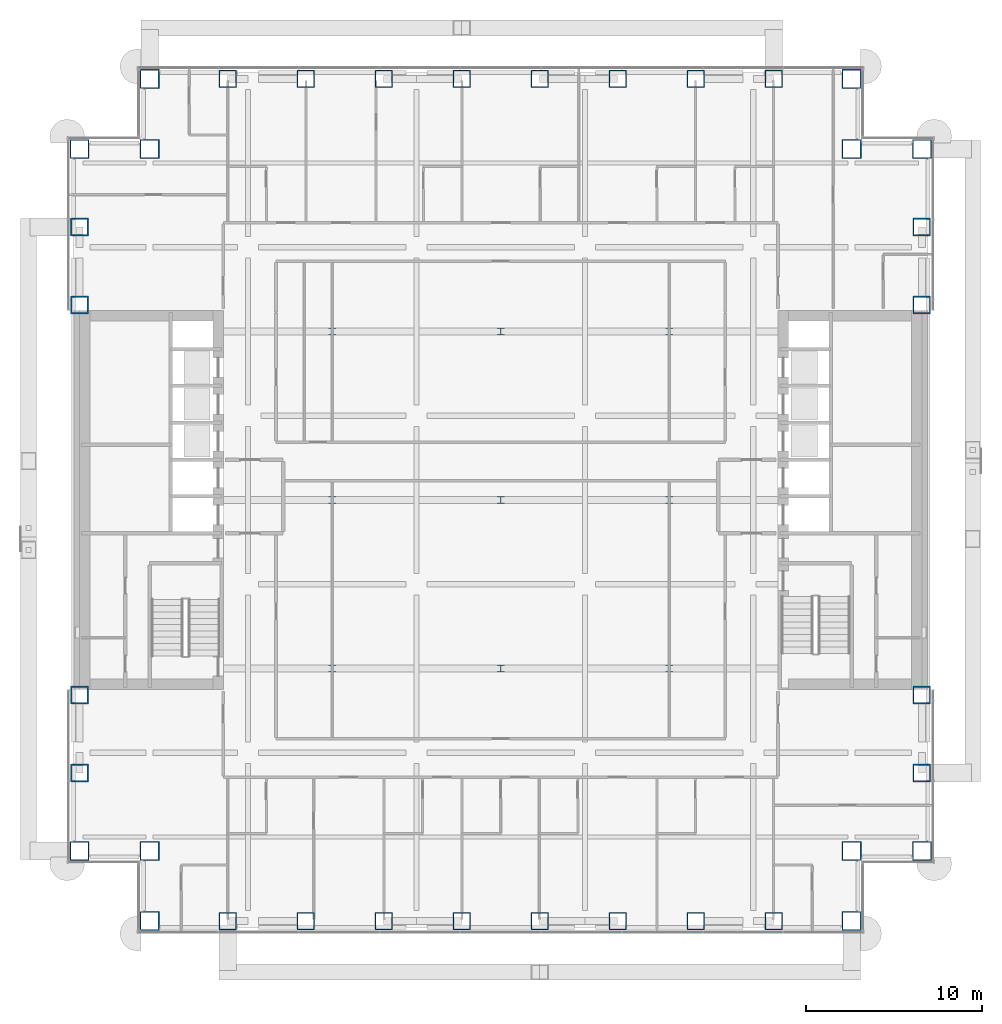
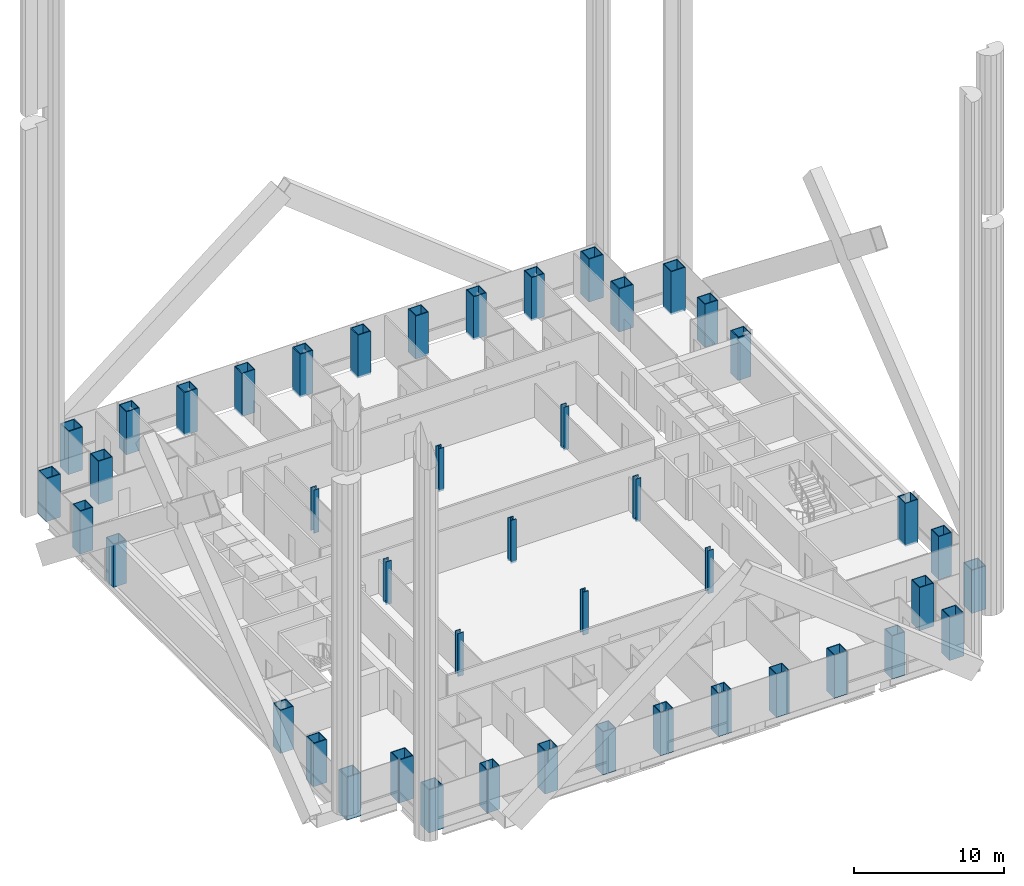
# One storey, part 1 of 28: 45 columns.
"""IFC4 building model written with IfcOpenShell, lengths in metres."""

from ifc_helpers import new_model, si_unit, direction, frame, origin, origin_2d, place, context, subcontext, project, spatial, hollow_rectangle, i_section, extrude, material, material_profile, profile_set, type_object, element, save


model = new_model("IFC4")

# Units and contexts
model_context = context("Model", 3, precision=1e-05, world=origin(), true_north=direction((0.0, 1.0)))
body_context = subcontext(model_context, "Body", "Model", "MODEL_VIEW")
ifc_project = project(units=[si_unit("LENGTHUNIT", "METRE"), si_unit("AREAUNIT", "SQUARE_METRE"), si_unit("VOLUMEUNIT", "CUBIC_METRE"), si_unit("PLANEANGLEUNIT", "RADIAN"), si_unit("MASSUNIT", "GRAM", prefix="KILO")], contexts=[model_context])

# Site, building, storey
site_placement = place(None, origin())
site = spatial("IfcSite", under=ifc_project, at=site_placement, CompositionType="ELEMENT")
building_placement = place(site_placement, origin())
building = spatial("IfcBuilding", under=site, at=building_placement, Name="Cobrizo Arcos Hotel Tower", CompositionType="ELEMENT")
storey_placement = place(building_placement, frame((0.0, 0.0, 39.0)))
storey = spatial("IfcBuildingStorey", under=building, at=storey_placement, Name="L07", CompositionType="ELEMENT", Elevation=39.0)

# Columns
ifc_material_1 = material(Name="Steel ASTM A572 Grade 50", Category="steel")
ifc_material_profile_1 = material_profile(ifc_material_1, hollow_rectangle(XDim=1.0, YDim=1.0, WallThickness=0.06005859375, at=origin_2d()), Name="BOX 1000X1000X60")
ifc_profile_set_1 = profile_set([ifc_material_profile_1], Name="Steel ASTM A572 Grade 50")
column_type_1 = type_object("IfcColumnType", Name="BOX 1000X1000X60 column", PredefinedType="COLUMN", material=ifc_profile_set_1)
for number, where, z_axis, x_axis, name in (
    (1, (-15.555908203125, 24.0, -0.14990234375), (0.0, 0.0, 1.0), (1.0, 0.0, 0.0), "Perimeter column C4, L07, no. 02"),
    (2, (-15.555908203125, -24.0, -0.14990234375), (0.0, 0.0, 1.0), (1.0, 0.0, 0.0), "Perimeter column C4, L07, no. 03"),
    (3, (-11.111083984375, 24.0, -0.14990234375), (0.0, 0.0, 1.0), (1.0, 0.0, 0.0), "Perimeter column C4, L07, no. 04"),
    (4, (-11.111083984375, -24.0, -0.14990234375), (0.0, 0.0, 1.0), (1.0, 0.0, 0.0), "Perimeter column C4, L07, no. 05"),
    (5, (-6.6669921875, 24.0, -0.14990234375), (0.0, 0.0, 1.0), (1.0, 0.0, 0.0), "Perimeter column C4, L07, no. 06"),
    (6, (-6.6669921875, -24.0, -0.14990234375), (0.0, 0.0, 1.0), (1.0, 0.0, 0.0), "Perimeter column C4, L07, no. 07"),
    (7, (-2.221923828125, 24.0, -0.14990234375), (0.0, 0.0, 1.0), (1.0, 0.0, 0.0), "Perimeter column C4, L07, no. 08"),
    (8, (-2.221923828125, -24.0, -0.14990234375), (0.0, 0.0, 1.0), (1.0, 0.0, 0.0), "Perimeter column C4, L07, no. 09"),
    (9, (2.221923828125, 24.0, -0.14990234375), (0.0, 0.0, 1.0), (1.0, 0.0, 0.0), "Perimeter column C4, L07, no. 10"),
    (10, (2.221923828125, -24.0, -0.14990234375), (0.0, 0.0, 1.0), (1.0, 0.0, 0.0), "Perimeter column C4, L07, no. 11"),
    (11, (6.6669921875, 24.0, -0.14990234375), (0.0, 0.0, 1.0), (1.0, 0.0, 0.0), "Perimeter column C4, L07, no. 12"),
    (12, (6.6669921875, -24.0, -0.14990234375), (0.0, 0.0, 1.0), (1.0, 0.0, 0.0), "Perimeter column C4, L07, no. 13"),
    (13, (11.111083984375, 24.0, -0.14990234375), (0.0, 0.0, 1.0), (1.0, 0.0, 0.0), "Perimeter column C4, L07, no. 14"),
    (14, (11.111083984375, -24.0, -0.14990234375), (0.0, 0.0, 1.0), (1.0, 0.0, 0.0), "Perimeter column C4, L07, no. 15"),
    (15, (15.555908203125, 24.0, -0.14990234375), (0.0, 0.0, 1.0), (1.0, 0.0, 0.0), "Perimeter column C4, L07, no. 16"),
    (16, (15.555908203125, -24.0, -0.14990234375), (0.0, 0.0, 1.0), (1.0, 0.0, 0.0), "Perimeter column C4, L07, no. 17"),
    (17, (24.0, -15.555908203125, -0.14990234375), (0.0, 0.0, 1.0), (1.0, 0.0, 0.0), "Perimeter column C4, L07, no. 22"),
    (18, (-24.0, -15.555908203125, -0.14990234375), (0.0, 0.0, 1.0), (1.0, 0.0, 0.0), "Perimeter column C4, L07, no. 23"),
    (19, (24.0, -11.111083984375, -0.14990234375), (0.0, 0.0, 1.0), (1.0, 0.0, 0.0), "Perimeter column C4, L07, no. 24"),
    (20, (-24.0, -11.111083984375, -0.14990234375), (0.0, 0.0, 1.0), (1.0, 0.0, 0.0), "Perimeter column C4, L07, no. 25"),
    (21, (24.0, 11.111083984375, -0.14990234375), (0.0, 0.0, 1.0), (1.0, 0.0, 0.0), "Perimeter column C4, L07, no. 26"),
    (22, (-24.0, 11.111083984375, -0.14990234375), (0.0, 0.0, 1.0), (1.0, 0.0, 0.0), "Perimeter column C4, L07, no. 27"),
    (23, (24.0, 15.555908203125, -0.14990234375), (0.0, 0.0, 1.0), (1.0, 0.0, 0.0), "Perimeter column C4, L07, no. 28"),
    (24, (-24.0, 15.555908203125, -0.14990234375), (0.0, 0.0, 1.0), (1.0, 0.0, 0.0), "Perimeter column C4, L07, no. 29"),
):
    element("IfcColumn", number, at=place(storey_placement, frame(where, z_axis=z_axis, x_axis=x_axis)), inside=storey, type_object=column_type_1, Name=name, PredefinedType="COLUMN", context=body_context, shape_type="SweptSolid", body=[
        extrude(hollow_rectangle(XDim=1.0, YDim=1.0, WallThickness=0.06005859375, at=origin_2d()), origin(), (0.0, 0.0, 1.0), 3.5),
    ])
ifc_material_profile_2 = material_profile(ifc_material_1, hollow_rectangle(XDim=1.10009765625, YDim=1.10009765625, WallThickness=0.06494140625, at=origin_2d()), Name="BOX 1100X1100X65")
ifc_profile_set_2 = profile_set([ifc_material_profile_2], Name="Steel ASTM A572 Grade 50")
column_type_2 = type_object("IfcColumnType", Name="BOX 1100X1100X65 column", PredefinedType="COLUMN", material=ifc_profile_set_2)
for number, where, z_axis, x_axis, name in (
    (25, (-20.0, 24.0, -0.14990234375), (0.0, 0.0, 1.0), (1.0, 0.0, 0.0), "Perimeter column C3, L07, no. 00"),
    (26, (-20.0, -24.0, -0.14990234375), (0.0, 0.0, 1.0), (1.0, 0.0, 0.0), "Perimeter column C3, L07, no. 01"),
    (27, (20.0, 24.0, -0.14990234375), (0.0, 0.0, 1.0), (1.0, 0.0, 0.0), "Perimeter column C3, L07, no. 18"),
    (28, (20.0, -24.0, -0.14990234375), (0.0, 0.0, 1.0), (1.0, 0.0, 0.0), "Perimeter column C3, L07, no. 19"),
    (29, (24.0, -20.0, -0.14990234375), (0.0, 0.0, 1.0), (1.0, 0.0, 0.0), "Perimeter column C3, L07, no. 20"),
    (30, (-24.0, -20.0, -0.14990234375), (0.0, 0.0, 1.0), (1.0, 0.0, 0.0), "Perimeter column C3, L07, no. 21"),
    (31, (24.0, 20.0, -0.14990234375), (0.0, 0.0, 1.0), (1.0, 0.0, 0.0), "Perimeter column C3, L07, no. 30"),
    (32, (-24.0, 20.0, -0.14990234375), (0.0, 0.0, 1.0), (1.0, 0.0, 0.0), "Perimeter column C3, L07, no. 31"),
    (33, (-20.0, -20.0, -0.14990234375), (0.0, 0.0, 1.0), (1.0, 0.0, 0.0), "Perimeter column C3, L07, no. 32"),
    (34, (-20.0, 20.0, -0.14990234375), (0.0, 0.0, 1.0), (1.0, 0.0, 0.0), "Perimeter column C3, L07, no. 33"),
    (35, (20.0, -20.0, -0.14990234375), (0.0, 0.0, 1.0), (1.0, 0.0, 0.0), "Perimeter column C3, L07, no. 34"),
    (36, (20.0, 20.0, -0.14990234375), (0.0, 0.0, 1.0), (1.0, 0.0, 0.0), "Perimeter column C3, L07, no. 35"),
):
    element("IfcColumn", number, at=place(storey_placement, frame(where, z_axis=z_axis, x_axis=x_axis)), inside=storey, type_object=column_type_2, Name=name, PredefinedType="COLUMN", context=body_context, shape_type="SweptSolid", body=[
        extrude(hollow_rectangle(XDim=1.10009765625, YDim=1.10009765625, WallThickness=0.06494140625, at=origin_2d()), origin(), (0.0, 0.0, 1.0), 3.5),
    ])
ifc_material_2 = material(Name="Steel ASTM A992 Grade 50", Category="steel")
ifc_material_profile_3 = material_profile(ifc_material_2, i_section(OverallWidth=0.408935546875, OverallDepth=0.42431640625, WebThickness=0.03271484375, FlangeThickness=0.052490234375, at=origin_2d()), Name="W14X283")
ifc_profile_set_3 = profile_set([ifc_material_profile_3], Name="Steel ASTM A992 Grade 50")
column_type_3 = type_object("IfcColumnType", Name="W14X283 interior column", PredefinedType="COLUMN", material=ifc_profile_set_3)
for number, where, z_axis, x_axis, name in (
    (37, (-9.60009765625, -9.60009765625, -0.14990234375), (0.0, 0.0, 1.0), (1.0, 0.0, 0.0), "Interior column C5, L07, no. 00"),
    (38, (-9.60009765625, 0.0, -0.14990234375), (0.0, 0.0, 1.0), (1.0, 0.0, 0.0), "Interior column C5, L07, no. 01"),
    (39, (-9.60009765625, 9.60009765625, -0.14990234375), (0.0, 0.0, 1.0), (1.0, 0.0, 0.0), "Interior column C5, L07, no. 02"),
    (40, (0.0, -9.60009765625, -0.14990234375), (0.0, 0.0, 1.0), (1.0, 0.0, 0.0), "Interior column C5, L07, no. 03"),
    (41, (0.0, 0.0, -0.14990234375), (0.0, 0.0, 1.0), (1.0, 0.0, 0.0), "Interior column C5, L07, no. 04"),
    (42, (0.0, 9.60009765625, -0.14990234375), (0.0, 0.0, 1.0), (1.0, 0.0, 0.0), "Interior column C5, L07, no. 05"),
    (43, (9.60009765625, -9.60009765625, -0.14990234375), (0.0, 0.0, 1.0), (1.0, 0.0, 0.0), "Interior column C5, L07, no. 06"),
    (44, (9.60009765625, 0.0, -0.14990234375), (0.0, 0.0, 1.0), (1.0, 0.0, 0.0), "Interior column C5, L07, no. 07"),
    (45, (9.60009765625, 9.60009765625, -0.14990234375), (0.0, 0.0, 1.0), (1.0, 0.0, 0.0), "Interior column C5, L07, no. 08"),
):
    element("IfcColumn", number, at=place(storey_placement, frame(where, z_axis=z_axis, x_axis=x_axis)), inside=storey, type_object=column_type_3, Name=name, PredefinedType="COLUMN", context=body_context, shape_type="SweptSolid", body=[
        extrude(i_section(OverallWidth=0.408935546875, OverallDepth=0.42431640625, WebThickness=0.03271484375, FlangeThickness=0.052490234375, at=origin_2d()), origin(), (0.0, 0.0, 1.0), 3.5),
    ])

save(model, "model.ifc")
